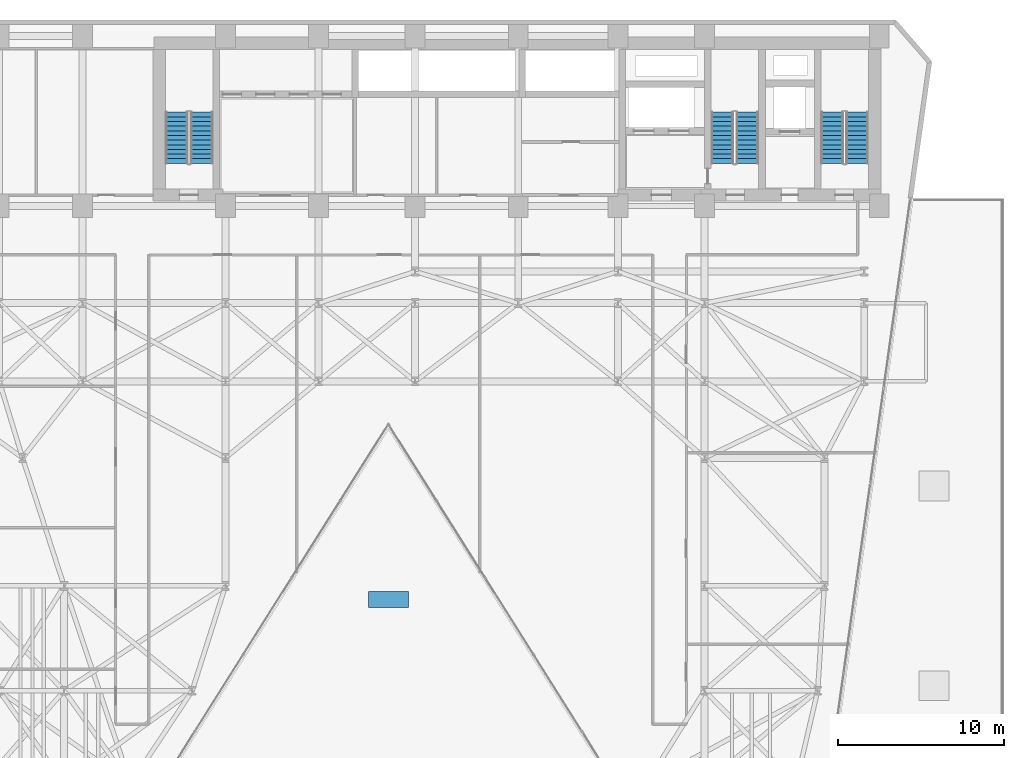
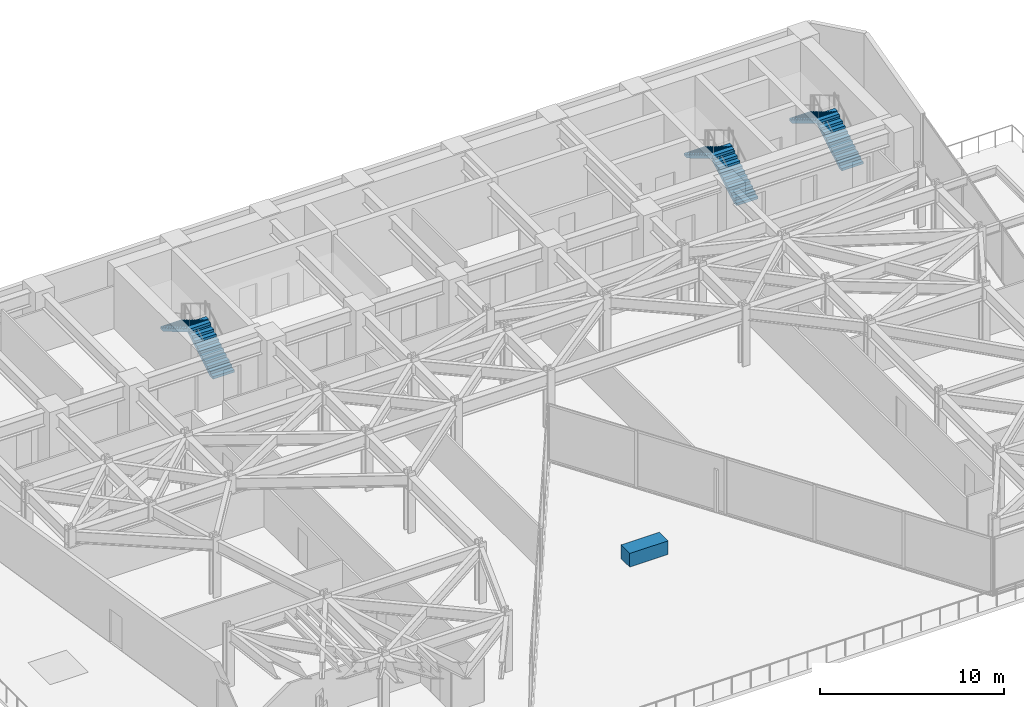
# One storey, part 20 of 25: 6 stair flights, 1 discrete accessory, 3 elements without a shape of their own.
"""IFC4 building model written with IfcOpenShell, lengths in metres."""

from ifc_helpers import new_model, si_unit, direction, frame, origin, origin_2d, place, context, subcontext, project, spatial, polyline, rectangle, outline, extrude, material, layer, layer_set, type_object, element, aggregate, save


model = new_model("IFC4")

# Units and contexts
model_context = context("Model", 3, precision=1e-05, world=origin(), true_north=direction((0.0, 1.0)))
body_context = subcontext(model_context, "Body", "Model", "MODEL_VIEW")
ifc_project = project(units=[si_unit("LENGTHUNIT", "METRE"), si_unit("AREAUNIT", "SQUARE_METRE"), si_unit("VOLUMEUNIT", "CUBIC_METRE"), si_unit("PLANEANGLEUNIT", "RADIAN"), si_unit("MASSUNIT", "GRAM", prefix="KILO")], contexts=[model_context])

# Site, building, storey
site_placement = place(None, origin())
site = spatial("IfcSite", under=ifc_project, at=site_placement, CompositionType="ELEMENT")
building_placement = place(site_placement, origin())
building = spatial("IfcBuilding", under=site, at=building_placement, Name="Kravanh Interchange Tower", CompositionType="ELEMENT")
storey_placement = place(building_placement, frame((0.0, 0.0, 29.5)))
storey = spatial("IfcBuildingStorey", under=building, at=storey_placement, Name="L06", CompositionType="ELEMENT", Elevation=29.5)

# Stair, stair flights
ifc_material_1 = material(Name="Concrete C50/60", Category="concrete")
stair_type = type_object("IfcStairType", Name="Core Fire Exit Dogleg Stair Concrete C50/60", PredefinedType="HALF_TURN_STAIR", material=ifc_material_1)
stair_1_placement = place(storey_placement, origin())
stair_1 = element("IfcStair", 1, at=stair_1_placement, inside=storey, type_object=stair_type, Name="L06 Exit Stair ST1", PredefinedType="HALF_TURN_STAIR")
ifc_material_2 = material(Name="Precast Concrete C50/60", Category="concrete")
ifc_layer = layer(ifc_material_2, 0.199951171875)
ifc_layer_set = layer_set([ifc_layer], Name="Precast Concrete C50/60 Stair Flight 1350mm")
stair_flight_type = type_object("IfcStairFlightType", Name="Precast Concrete C50/60 Stair Flight 1350mm", PredefinedType="STRAIGHT", material=ifc_layer_set)
stair_flight_1_placement = place(storey_placement, frame((65.175048828125, 39.89990234375, 0.0), z_axis=(0.0, 0.0, 1.0), x_axis=(0.0, 1.0, 0.0)))
stair_flight_1 = element("IfcStairFlight", 2, at=stair_flight_1_placement, type_object=stair_flight_type, Name="ST1 flight 1", NumberOfRisers=12, NumberOfTreads=11, PredefinedType="STRAIGHT", RiserHeight=0.166666667, TreadLength=0.28, context=body_context, shape_type="SweptSolid", body=[
    extrude(outline(polyline([(0.0, 0.0), (0.0, 0.166748046875), (0.280029296875, 0.166748046875), (0.280029296875, 0.333251953125), (0.56005859375, 0.333251953125), (0.56005859375, 0.5), (0.840087890625, 0.5), (0.840087890625, 0.666748046875), (1.1201171875, 0.666748046875), (1.1201171875, 0.833251953125), (1.39990234375, 0.833251953125), (1.39990234375, 1.0), (1.679931640625, 1.0), (1.679931640625, 1.166748046875), (1.9599609375, 1.166748046875), (1.9599609375, 1.333251953125), (2.239990234375, 1.333251953125), (2.239990234375, 1.5), (2.52001953125, 1.5), (2.52001953125, 1.666748046875), (2.800048828125, 1.666748046875), (2.800048828125, 1.833251953125), (3.080078125, 1.833251953125), (3.080078125, 2.0), (3.080078125, 1.658935546875), (0.29296875, 0.0), (0.0, 0.0)])), frame((0.0, 0.675048828125, 0.0), z_axis=(0.0, -1.0, 0.0), x_axis=(1.0, 0.0, 0.0)), (0.0, 0.0, 1.0), 1.35009765625),
])
stair_flight_2_placement = place(storey_placement, frame((63.675048828125, 42.97998046875, 2.0), z_axis=(0.0, 0.0, 1.0), x_axis=(0.0, -1.0, 0.0)))
stair_flight_2 = element("IfcStairFlight", 3, at=stair_flight_2_placement, type_object=stair_flight_type, Name="ST1 flight 2", NumberOfRisers=12, NumberOfTreads=11, PredefinedType="STRAIGHT", RiserHeight=0.166666667, TreadLength=0.28, context=body_context, shape_type="SweptSolid", body=[
    extrude(outline(polyline([(0.0, 0.0), (0.0, 0.166748046875), (0.280029296875, 0.166748046875), (0.280029296875, 0.333251953125), (0.56005859375, 0.333251953125), (0.56005859375, 0.5), (0.840087890625, 0.5), (0.840087890625, 0.666748046875), (1.1201171875, 0.666748046875), (1.1201171875, 0.833251953125), (1.39990234375, 0.833251953125), (1.39990234375, 1.0), (1.679931640625, 1.0), (1.679931640625, 1.166748046875), (1.9599609375, 1.166748046875), (1.9599609375, 1.333251953125), (2.239990234375, 1.333251953125), (2.239990234375, 1.5), (2.52001953125, 1.5), (2.52001953125, 1.666748046875), (2.800048828125, 1.666748046875), (2.800048828125, 1.833251953125), (3.080078125, 1.833251953125), (3.080078125, 2.0), (3.080078125, 1.658935546875), (0.29296875, 0.0), (0.0, 0.0)])), frame((0.0, 0.675048828125, 0.0), z_axis=(0.0, -1.0, 0.0), x_axis=(1.0, 0.0, 0.0)), (0.0, 0.0, 1.0), 1.35009765625),
])
aggregate(stair_1, [stair_flight_1, stair_flight_2])

stair_2_placement = place(storey_placement, origin())
stair_2 = element("IfcStair", 4, at=stair_2_placement, inside=storey, type_object=stair_type, Name="L06 Exit Stair ST2", PredefinedType="HALF_TURN_STAIR")
stair_flight_3_placement = place(storey_placement, frame((58.574951171875, 39.89990234375, 0.0), z_axis=(0.0, 0.0, 1.0), x_axis=(0.0, 1.0, 0.0)))
stair_flight_3 = element("IfcStairFlight", 5, at=stair_flight_3_placement, type_object=stair_flight_type, Name="ST2 flight 1", NumberOfRisers=12, NumberOfTreads=11, PredefinedType="STRAIGHT", RiserHeight=0.166666667, TreadLength=0.28, context=body_context, shape_type="SweptSolid", body=[
    extrude(outline(polyline([(0.0, 0.0), (0.0, 0.166748046875), (0.280029296875, 0.166748046875), (0.280029296875, 0.333251953125), (0.56005859375, 0.333251953125), (0.56005859375, 0.5), (0.840087890625, 0.5), (0.840087890625, 0.666748046875), (1.1201171875, 0.666748046875), (1.1201171875, 0.833251953125), (1.39990234375, 0.833251953125), (1.39990234375, 1.0), (1.679931640625, 1.0), (1.679931640625, 1.166748046875), (1.9599609375, 1.166748046875), (1.9599609375, 1.333251953125), (2.239990234375, 1.333251953125), (2.239990234375, 1.5), (2.52001953125, 1.5), (2.52001953125, 1.666748046875), (2.800048828125, 1.666748046875), (2.800048828125, 1.833251953125), (3.080078125, 1.833251953125), (3.080078125, 2.0), (3.080078125, 1.658935546875), (0.29296875, 0.0), (0.0, 0.0)])), frame((0.0, 0.675048828125, 0.0), z_axis=(0.0, -1.0, 0.0), x_axis=(1.0, 0.0, 0.0)), (0.0, 0.0, 1.0), 1.35009765625),
])
stair_flight_4_placement = place(storey_placement, frame((57.074951171875, 42.97998046875, 2.0), z_axis=(0.0, 0.0, 1.0), x_axis=(0.0, -1.0, 0.0)))
stair_flight_4 = element("IfcStairFlight", 6, at=stair_flight_4_placement, type_object=stair_flight_type, Name="ST2 flight 2", NumberOfRisers=12, NumberOfTreads=11, PredefinedType="STRAIGHT", RiserHeight=0.166666667, TreadLength=0.28, context=body_context, shape_type="SweptSolid", body=[
    extrude(outline(polyline([(0.0, 0.0), (0.0, 0.166748046875), (0.280029296875, 0.166748046875), (0.280029296875, 0.333251953125), (0.56005859375, 0.333251953125), (0.56005859375, 0.5), (0.840087890625, 0.5), (0.840087890625, 0.666748046875), (1.1201171875, 0.666748046875), (1.1201171875, 0.833251953125), (1.39990234375, 0.833251953125), (1.39990234375, 1.0), (1.679931640625, 1.0), (1.679931640625, 1.166748046875), (1.9599609375, 1.166748046875), (1.9599609375, 1.333251953125), (2.239990234375, 1.333251953125), (2.239990234375, 1.5), (2.52001953125, 1.5), (2.52001953125, 1.666748046875), (2.800048828125, 1.666748046875), (2.800048828125, 1.833251953125), (3.080078125, 1.833251953125), (3.080078125, 2.0), (3.080078125, 1.658935546875), (0.29296875, 0.0), (0.0, 0.0)])), frame((0.0, 0.675048828125, 0.0), z_axis=(0.0, -1.0, 0.0), x_axis=(1.0, 0.0, 0.0)), (0.0, 0.0, 1.0), 1.35009765625),
])
aggregate(stair_2, [stair_flight_3, stair_flight_4])

stair_3_placement = place(storey_placement, origin())
stair_3 = element("IfcStair", 7, at=stair_3_placement, inside=storey, type_object=stair_type, Name="L06 Exit Stair ST3", PredefinedType="HALF_TURN_STAIR")
stair_flight_5_placement = place(storey_placement, frame((25.77490234375, 39.89990234375, 0.0), z_axis=(0.0, 0.0, 1.0), x_axis=(0.0, 1.0, 0.0)))
stair_flight_5 = element("IfcStairFlight", 8, at=stair_flight_5_placement, type_object=stair_flight_type, Name="ST3 flight 1", NumberOfRisers=12, NumberOfTreads=11, PredefinedType="STRAIGHT", RiserHeight=0.166666667, TreadLength=0.28, context=body_context, shape_type="SweptSolid", body=[
    extrude(outline(polyline([(0.0, 0.0), (0.0, 0.166748046875), (0.280029296875, 0.166748046875), (0.280029296875, 0.333251953125), (0.56005859375, 0.333251953125), (0.56005859375, 0.5), (0.840087890625, 0.5), (0.840087890625, 0.666748046875), (1.1201171875, 0.666748046875), (1.1201171875, 0.833251953125), (1.39990234375, 0.833251953125), (1.39990234375, 1.0), (1.679931640625, 1.0), (1.679931640625, 1.166748046875), (1.9599609375, 1.166748046875), (1.9599609375, 1.333251953125), (2.239990234375, 1.333251953125), (2.239990234375, 1.5), (2.52001953125, 1.5), (2.52001953125, 1.666748046875), (2.800048828125, 1.666748046875), (2.800048828125, 1.833251953125), (3.080078125, 1.833251953125), (3.080078125, 2.0), (3.080078125, 1.658935546875), (0.29296875, 0.0), (0.0, 0.0)])), frame((0.0, 0.675048828125, 0.0), z_axis=(0.0, -1.0, 0.0), x_axis=(1.0, 0.0, 0.0)), (0.0, 0.0, 1.0), 1.35009765625),
])
stair_flight_6_placement = place(storey_placement, frame((24.27490234375, 42.97998046875, 2.0), z_axis=(0.0, 0.0, 1.0), x_axis=(0.0, -1.0, 0.0)))
stair_flight_6 = element("IfcStairFlight", 9, at=stair_flight_6_placement, type_object=stair_flight_type, Name="ST3 flight 2", NumberOfRisers=12, NumberOfTreads=11, PredefinedType="STRAIGHT", RiserHeight=0.166666667, TreadLength=0.28, context=body_context, shape_type="SweptSolid", body=[
    extrude(outline(polyline([(0.0, 0.0), (0.0, 0.166748046875), (0.280029296875, 0.166748046875), (0.280029296875, 0.333251953125), (0.56005859375, 0.333251953125), (0.56005859375, 0.5), (0.840087890625, 0.5), (0.840087890625, 0.666748046875), (1.1201171875, 0.666748046875), (1.1201171875, 0.833251953125), (1.39990234375, 0.833251953125), (1.39990234375, 1.0), (1.679931640625, 1.0), (1.679931640625, 1.166748046875), (1.9599609375, 1.166748046875), (1.9599609375, 1.333251953125), (2.239990234375, 1.333251953125), (2.239990234375, 1.5), (2.52001953125, 1.5), (2.52001953125, 1.666748046875), (2.800048828125, 1.666748046875), (2.800048828125, 1.833251953125), (3.080078125, 1.833251953125), (3.080078125, 2.0), (3.080078125, 1.658935546875), (0.29296875, 0.0), (0.0, 0.0)])), frame((0.0, 0.675048828125, 0.0), z_axis=(0.0, -1.0, 0.0), x_axis=(1.0, 0.0, 0.0)), (0.0, 0.0, 1.0), 1.35009765625),
])
aggregate(stair_3, [stair_flight_5, stair_flight_6])

# Discrete accessory
ifc_material_3 = material(Name="Architectural GRC Concrete C40/50 with Root Barrier", Category="concrete")
discrete_accessory_type = type_object("IfcDiscreteAccessoryType", Name="Stepped Terrace Tree Planter Box Concrete C40/50 2400x950x900", PredefinedType="USERDEFINED", material=ifc_material_3)
discrete_accessory_placement = place(storey_placement, frame((37.0, 13.68994140625, 0.0), z_axis=(0.0, 0.0, 1.0), x_axis=(1.0, 0.0, 0.0)))
element("IfcDiscreteAccessory", 10, at=discrete_accessory_placement, inside=storey, type_object=discrete_accessory_type, Name="L06 Stepped Terrace TREE PLANTER 1", ObjectType="PLANTER", PredefinedType="USERDEFINED", context=body_context, shape_type="SweptSolid", body=[
    extrude(rectangle(XDim=2.39990234375, YDim=0.949951171875, at=origin_2d()), origin(), (0.0, 0.0, 1.0), 0.89990234375),
])

save(model, "model.ifc")
